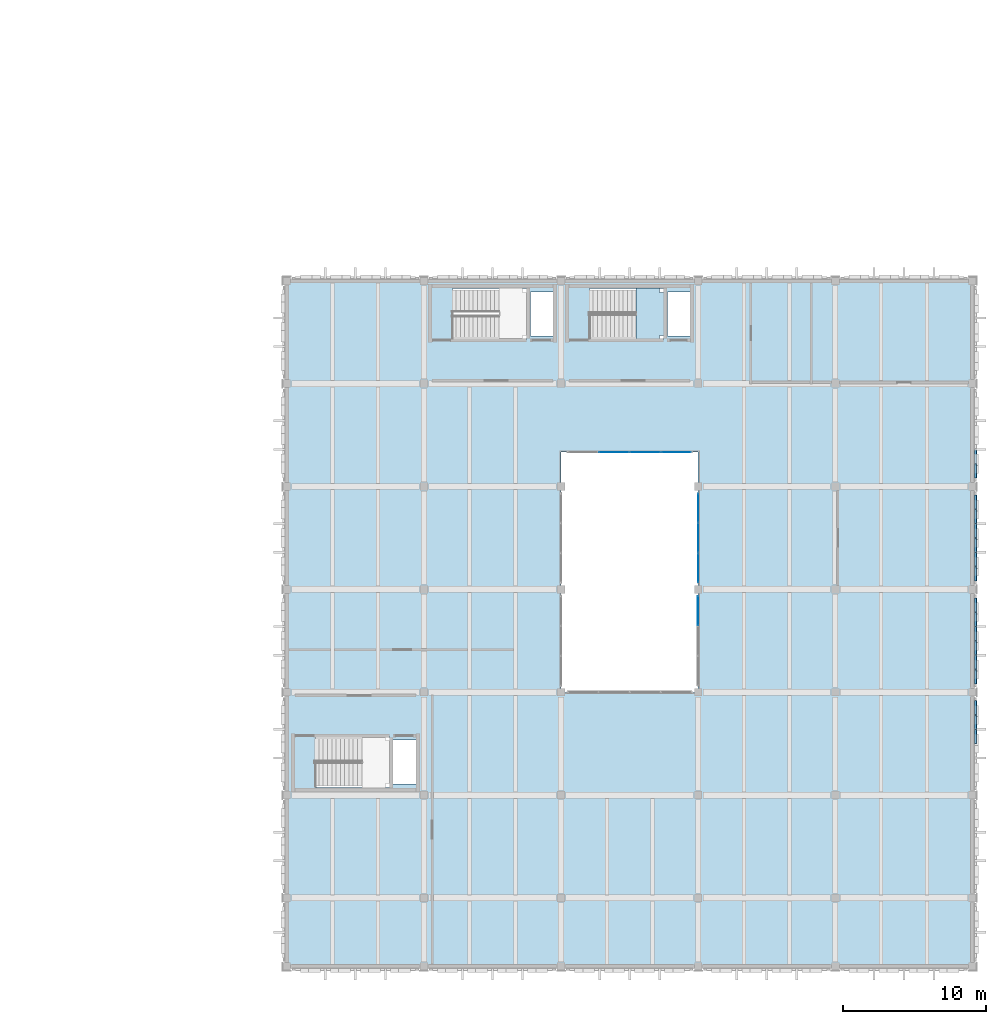
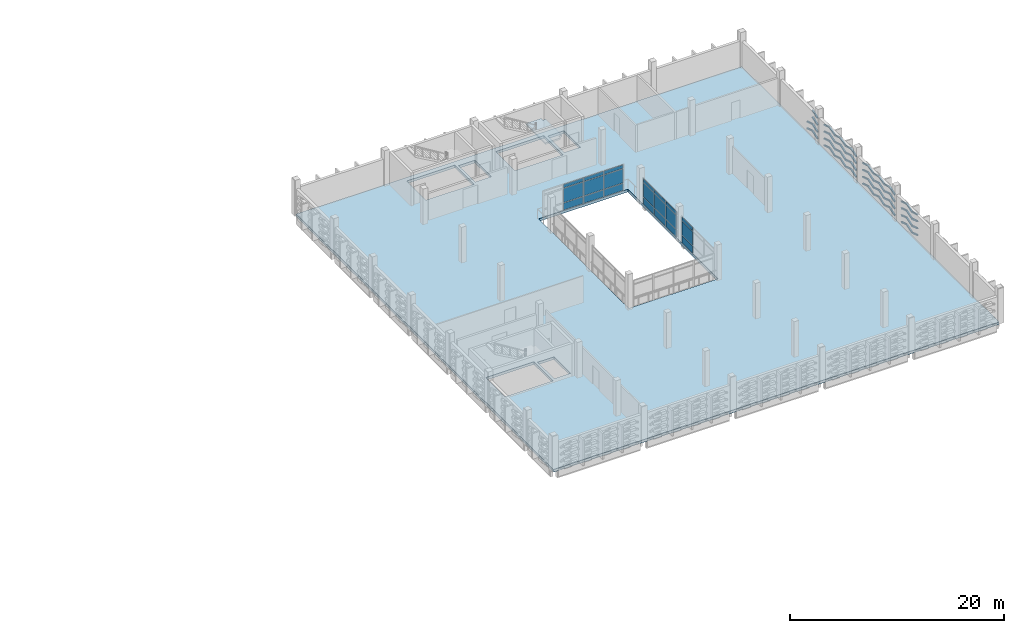
# One storey, part 46 of 72: 87 plates, 2 slabs, 4 elements without a shape of their own.
"""IFC4 building model written with IfcOpenShell, lengths in metres."""

from ifc_helpers import new_model, si_unit, direction, frame, origin, origin_2d, place, context, subcontext, project, spatial, polyline, rectangle, hollow_rectangle, outline, extrude, material, layer, layer_set, material_profile, profile_set, type_object, element, aggregate, save


model = new_model("IFC4")

# Units and contexts
model_context = context("Model", 3, precision=1e-05, world=origin(), true_north=direction((0.0, 1.0)))
body_context = subcontext(model_context, "Body", "Model", "MODEL_VIEW")
ifc_project = project(units=[si_unit("LENGTHUNIT", "METRE"), si_unit("AREAUNIT", "SQUARE_METRE"), si_unit("VOLUMEUNIT", "CUBIC_METRE"), si_unit("PLANEANGLEUNIT", "RADIAN"), si_unit("MASSUNIT", "GRAM", prefix="KILO")], contexts=[model_context])

# Site, building, storey
site_placement = place(None, origin())
site = spatial("IfcSite", under=ifc_project, at=site_placement, CompositionType="ELEMENT")
building_placement = place(site_placement, origin())
building = spatial("IfcBuilding", under=site, at=building_placement, Name="Asteropetra Specialist Clinic", CompositionType="ELEMENT")
storey_placement = place(building_placement, frame((0.0, 0.0, 12.580078125)))
storey = spatial("IfcBuildingStorey", under=building, at=storey_placement, Name="L03", CompositionType="ELEMENT", Elevation=12.580078125)

# Plates
ifc_material_1 = material(Name="Chevron emerald aluminium 6063-T6", Category="aluminium")
ifc_material_profile = material_profile(ifc_material_1, hollow_rectangle(XDim=0.159912109375, YDim=0.159912109375, WallThickness=0.008056640625, InnerFilletRadius=0.008056640625, OuterFilletRadius=0.01611328125, at=origin_2d()), Name="SHS 160x160x8.0")
ifc_profile_set = profile_set([ifc_material_profile], Name="Chevron emerald aluminium 6063-T6")
plate_type_1 = type_object("IfcPlateType", Name="CHV-RIB-160", PredefinedType="SHEET", material=ifc_profile_set)
for number, where, z_axis, x_axis, name in (
    (1, (153.819580078125, 15.60009765625, 0.36572265625), (0.0, 0.951922588053, -0.306338679169), (-1.0, 0.0, 0.0), "Chevron Facade Screen Fin CVR-3327"),
    (2, (153.819580078125, 15.60009765625, 1.1357421875), (0.0, 0.951922588053, -0.306338679169), (-1.0, 0.0, 0.0), "Chevron Facade Screen Fin CVR-3329"),
    (3, (153.819580078125, 15.60009765625, 1.935791015625), (0.0, 0.951922588053, -0.306338679169), (-1.0, 0.0, 0.0), "Chevron Facade Screen Fin CVR-3331"),
    (4, (153.819580078125, 15.60009765625, 2.7158203125), (0.0, 0.951922588053, -0.306338679169), (-1.0, 0.0, 0.0), "Chevron Facade Screen Fin CVR-3333"),
    (5, (153.819580078125, 16.62158203125, 0.0498046875), (0.0, 0.951922588053, 0.306338679169), (-1.0, 0.0, 0.0), "Chevron Facade Screen Fin CVR-3334"),
    (6, (153.819580078125, 17.603271484375, 0.36572265625), (0.0, 0.951922588053, -0.306338679169), (-1.0, 0.0, 0.0), "Chevron Facade Screen Fin CVR-3335"),
    (7, (153.819580078125, 16.62158203125, 0.81982421875), (0.0, 0.951922588053, 0.306338679169), (-1.0, 0.0, 0.0), "Chevron Facade Screen Fin CVR-3336"),
    (8, (153.819580078125, 17.603271484375, 1.1357421875), (0.0, 0.951922588053, -0.306338679169), (-1.0, 0.0, 0.0), "Chevron Facade Screen Fin CVR-3337"),
    (9, (153.819580078125, 16.62158203125, 1.619873046875), (0.0, 0.951922588053, 0.306338679169), (-1.0, 0.0, 0.0), "Chevron Facade Screen Fin CVR-3338"),
    (10, (153.819580078125, 17.603271484375, 1.935791015625), (0.0, 0.951922588053, -0.306338679169), (-1.0, 0.0, 0.0), "Chevron Facade Screen Fin CVR-3339"),
    (11, (153.819580078125, 16.62158203125, 2.39990234375), (0.0, 0.951922588053, 0.306338679169), (-1.0, 0.0, 0.0), "Chevron Facade Screen Fin CVR-3340"),
    (12, (153.819580078125, 17.603271484375, 2.7158203125), (0.0, 0.951922588053, -0.306338679169), (-1.0, 0.0, 0.0), "Chevron Facade Screen Fin CVR-3341"),
    (13, (153.819580078125, 19.81494140625, 0.0498046875), (0.0, 0.951922588053, 0.306338679169), (-1.0, 0.0, 0.0), "Chevron Facade Screen Fin CVR-3366"),
    (14, (153.819580078125, 20.796630859375, 0.36572265625), (0.0, 0.951922588053, -0.306338679169), (-1.0, 0.0, 0.0), "Chevron Facade Screen Fin CVR-3367"),
    (15, (153.819580078125, 19.81494140625, 0.81982421875), (0.0, 0.951922588053, 0.306338679169), (-1.0, 0.0, 0.0), "Chevron Facade Screen Fin CVR-3368"),
    (16, (153.819580078125, 20.796630859375, 1.1357421875), (0.0, 0.951922588053, -0.306338679169), (-1.0, 0.0, 0.0), "Chevron Facade Screen Fin CVR-3369"),
    (17, (153.819580078125, 19.81494140625, 1.619873046875), (0.0, 0.951922588053, 0.306338679169), (-1.0, 0.0, 0.0), "Chevron Facade Screen Fin CVR-3370"),
    (18, (153.819580078125, 20.796630859375, 1.935791015625), (0.0, 0.951922588053, -0.306338679169), (-1.0, 0.0, 0.0), "Chevron Facade Screen Fin CVR-3371"),
    (19, (153.819580078125, 19.81494140625, 2.39990234375), (0.0, 0.951922588053, 0.306338679169), (-1.0, 0.0, 0.0), "Chevron Facade Screen Fin CVR-3372"),
    (20, (153.819580078125, 20.796630859375, 2.7158203125), (0.0, 0.951922588053, -0.306338679169), (-1.0, 0.0, 0.0), "Chevron Facade Screen Fin CVR-3373"),
    (21, (153.819580078125, 21.818359375, 0.0498046875), (0.0, 0.951922588053, 0.306338679169), (-1.0, 0.0, 0.0), "Chevron Facade Screen Fin CVR-3374"),
    (22, (153.819580078125, 22.800048828125, 0.36572265625), (0.0, 0.951922588053, -0.306338679169), (-1.0, 0.0, 0.0), "Chevron Facade Screen Fin CVR-3375"),
    (23, (153.819580078125, 21.818359375, 0.81982421875), (0.0, 0.951922588053, 0.306338679169), (-1.0, 0.0, 0.0), "Chevron Facade Screen Fin CVR-3376"),
    (24, (153.819580078125, 22.800048828125, 1.1357421875), (0.0, 0.951922588053, -0.306338679169), (-1.0, 0.0, 0.0), "Chevron Facade Screen Fin CVR-3377"),
    (25, (153.819580078125, 21.818359375, 1.619873046875), (0.0, 0.951922588053, 0.306338679169), (-1.0, 0.0, 0.0), "Chevron Facade Screen Fin CVR-3378"),
    (26, (153.819580078125, 22.800048828125, 1.935791015625), (0.0, 0.951922588053, -0.306338679169), (-1.0, 0.0, 0.0), "Chevron Facade Screen Fin CVR-3379"),
    (27, (153.819580078125, 21.818359375, 2.39990234375), (0.0, 0.951922588053, 0.306338679169), (-1.0, 0.0, 0.0), "Chevron Facade Screen Fin CVR-3380"),
    (28, (153.819580078125, 22.800048828125, 2.7158203125), (0.0, 0.951922588053, -0.306338679169), (-1.0, 0.0, 0.0), "Chevron Facade Screen Fin CVR-3381"),
):
    element("IfcPlate", number, at=place(storey_placement, frame(where, z_axis=z_axis, x_axis=x_axis)), inside=storey, type_object=plate_type_1, Name=name, PredefinedType="SHEET", context=body_context, shape_type="SweptSolid", body=[
        extrude(hollow_rectangle(XDim=0.159912109375, YDim=0.159912109375, WallThickness=0.008056640625, InnerFilletRadius=0.008056640625, OuterFilletRadius=0.01611328125, at=origin_2d()), origin(), (0.0, 0.0, 1.0), 1.03125),
    ])
plate_1_placement = place(storey_placement, frame((153.819580078125, 23.82177734375, 0.0498046875), z_axis=(0.0, 0.951900364266, 0.306407729194), x_axis=(-1.0, 0.0, 0.0)))
element("IfcPlate", 29, at=plate_1_placement, inside=storey, type_object=plate_type_1, Name="Chevron Facade Screen Fin CVR-3382", PredefinedType="SHEET", context=body_context, shape_type="SweptSolid", body=[
    extrude(hollow_rectangle(XDim=0.159912109375, YDim=0.159912109375, WallThickness=0.008056640625, InnerFilletRadius=0.008056640625, OuterFilletRadius=0.01611328125, at=origin_2d()), origin(), (0.0, 0.0, 1.0), 1.031005859375),
])
plate_2_placement = place(storey_placement, frame((153.819580078125, 24.80322265625, 0.36572265625), z_axis=(0.0, 0.951922588053, -0.306338679169), x_axis=(-1.0, 0.0, 0.0)))
element("IfcPlate", 30, at=plate_2_placement, inside=storey, type_object=plate_type_1, Name="Chevron Facade Screen Fin CVR-3383", PredefinedType="SHEET", context=body_context, shape_type="SweptSolid", body=[
    extrude(hollow_rectangle(XDim=0.159912109375, YDim=0.159912109375, WallThickness=0.008056640625, InnerFilletRadius=0.008056640625, OuterFilletRadius=0.01611328125, at=origin_2d()), origin(), (0.0, 0.0, 1.0), 1.03125),
])
plate_3_placement = place(storey_placement, frame((153.819580078125, 23.82177734375, 0.81982421875), z_axis=(0.0, 0.951900364266, 0.306407729194), x_axis=(-1.0, 0.0, 0.0)))
element("IfcPlate", 31, at=plate_3_placement, inside=storey, type_object=plate_type_1, Name="Chevron Facade Screen Fin CVR-3384", PredefinedType="SHEET", context=body_context, shape_type="SweptSolid", body=[
    extrude(hollow_rectangle(XDim=0.159912109375, YDim=0.159912109375, WallThickness=0.008056640625, InnerFilletRadius=0.008056640625, OuterFilletRadius=0.01611328125, at=origin_2d()), origin(), (0.0, 0.0, 1.0), 1.031005859375),
])
plate_4_placement = place(storey_placement, frame((153.819580078125, 24.80322265625, 1.1357421875), z_axis=(0.0, 0.951922588053, -0.306338679169), x_axis=(-1.0, 0.0, 0.0)))
element("IfcPlate", 32, at=plate_4_placement, inside=storey, type_object=plate_type_1, Name="Chevron Facade Screen Fin CVR-3385", PredefinedType="SHEET", context=body_context, shape_type="SweptSolid", body=[
    extrude(hollow_rectangle(XDim=0.159912109375, YDim=0.159912109375, WallThickness=0.008056640625, InnerFilletRadius=0.008056640625, OuterFilletRadius=0.01611328125, at=origin_2d()), origin(), (0.0, 0.0, 1.0), 1.03125),
])
plate_5_placement = place(storey_placement, frame((153.819580078125, 23.82177734375, 1.619873046875), z_axis=(0.0, 0.951900364266, 0.306407729194), x_axis=(-1.0, 0.0, 0.0)))
element("IfcPlate", 33, at=plate_5_placement, inside=storey, type_object=plate_type_1, Name="Chevron Facade Screen Fin CVR-3386", PredefinedType="SHEET", context=body_context, shape_type="SweptSolid", body=[
    extrude(hollow_rectangle(XDim=0.159912109375, YDim=0.159912109375, WallThickness=0.008056640625, InnerFilletRadius=0.008056640625, OuterFilletRadius=0.01611328125, at=origin_2d()), origin(), (0.0, 0.0, 1.0), 1.031005859375),
])
plate_6_placement = place(storey_placement, frame((153.819580078125, 24.80322265625, 1.935791015625), z_axis=(0.0, 0.951922588053, -0.306338679169), x_axis=(-1.0, 0.0, 0.0)))
element("IfcPlate", 34, at=plate_6_placement, inside=storey, type_object=plate_type_1, Name="Chevron Facade Screen Fin CVR-3387", PredefinedType="SHEET", context=body_context, shape_type="SweptSolid", body=[
    extrude(hollow_rectangle(XDim=0.159912109375, YDim=0.159912109375, WallThickness=0.008056640625, InnerFilletRadius=0.008056640625, OuterFilletRadius=0.01611328125, at=origin_2d()), origin(), (0.0, 0.0, 1.0), 1.03125),
])
plate_7_placement = place(storey_placement, frame((153.819580078125, 23.82177734375, 2.39990234375), z_axis=(0.0, 0.951900364266, 0.306407729194), x_axis=(-1.0, 0.0, 0.0)))
element("IfcPlate", 35, at=plate_7_placement, inside=storey, type_object=plate_type_1, Name="Chevron Facade Screen Fin CVR-3388", PredefinedType="SHEET", context=body_context, shape_type="SweptSolid", body=[
    extrude(hollow_rectangle(XDim=0.159912109375, YDim=0.159912109375, WallThickness=0.008056640625, InnerFilletRadius=0.008056640625, OuterFilletRadius=0.01611328125, at=origin_2d()), origin(), (0.0, 0.0, 1.0), 1.031005859375),
])
for number, where, z_axis, x_axis, name in (
    (36, (153.819580078125, 24.80322265625, 2.7158203125), (0.0, 0.951922588053, -0.306338679169), (-1.0, 0.0, 0.0), "Chevron Facade Screen Fin CVR-3389"),
    (37, (153.819580078125, 27.014892578125, 0.0498046875), (0.0, 0.951922588053, 0.306338679169), (-1.0, 0.0, 0.0), "Chevron Facade Screen Fin CVR-3414"),
    (38, (153.819580078125, 27.99658203125, 0.36572265625), (0.0, 0.951922588053, -0.306338679169), (-1.0, 0.0, 0.0), "Chevron Facade Screen Fin CVR-3415"),
    (39, (153.819580078125, 27.014892578125, 0.81982421875), (0.0, 0.951922588053, 0.306338679169), (-1.0, 0.0, 0.0), "Chevron Facade Screen Fin CVR-3416"),
    (40, (153.819580078125, 27.99658203125, 1.1357421875), (0.0, 0.951922588053, -0.306338679169), (-1.0, 0.0, 0.0), "Chevron Facade Screen Fin CVR-3417"),
    (41, (153.819580078125, 27.014892578125, 1.619873046875), (0.0, 0.951922588053, 0.306338679169), (-1.0, 0.0, 0.0), "Chevron Facade Screen Fin CVR-3418"),
    (42, (153.819580078125, 27.99658203125, 1.935791015625), (0.0, 0.951922588053, -0.306338679169), (-1.0, 0.0, 0.0), "Chevron Facade Screen Fin CVR-3419"),
    (43, (153.819580078125, 27.014892578125, 2.39990234375), (0.0, 0.951922588053, 0.306338679169), (-1.0, 0.0, 0.0), "Chevron Facade Screen Fin CVR-3420"),
    (44, (153.819580078125, 27.99658203125, 2.7158203125), (0.0, 0.951922588053, -0.306338679169), (-1.0, 0.0, 0.0), "Chevron Facade Screen Fin CVR-3421"),
    (45, (153.819580078125, 29.018310546875, 0.0498046875), (0.0, 0.951922588053, 0.306338679169), (-1.0, 0.0, 0.0), "Chevron Facade Screen Fin CVR-3422"),
    (46, (153.819580078125, 30.0, 0.36572265625), (0.0, 0.951922588053, -0.306338679169), (-1.0, 0.0, 0.0), "Chevron Facade Screen Fin CVR-3423"),
    (47, (153.819580078125, 29.018310546875, 0.81982421875), (0.0, 0.951922588053, 0.306338679169), (-1.0, 0.0, 0.0), "Chevron Facade Screen Fin CVR-3424"),
    (48, (153.819580078125, 30.0, 1.1357421875), (0.0, 0.951922588053, -0.306338679169), (-1.0, 0.0, 0.0), "Chevron Facade Screen Fin CVR-3425"),
    (49, (153.819580078125, 29.018310546875, 1.619873046875), (0.0, 0.951922588053, 0.306338679169), (-1.0, 0.0, 0.0), "Chevron Facade Screen Fin CVR-3426"),
    (50, (153.819580078125, 30.0, 1.935791015625), (0.0, 0.951922588053, -0.306338679169), (-1.0, 0.0, 0.0), "Chevron Facade Screen Fin CVR-3427"),
    (51, (153.819580078125, 29.018310546875, 2.39990234375), (0.0, 0.951922588053, 0.306338679169), (-1.0, 0.0, 0.0), "Chevron Facade Screen Fin CVR-3428"),
    (52, (153.819580078125, 30.0, 2.7158203125), (0.0, 0.951922588053, -0.306338679169), (-1.0, 0.0, 0.0), "Chevron Facade Screen Fin CVR-3429"),
    (53, (153.819580078125, 31.021728515625, 0.0498046875), (0.0, 0.951922588053, 0.306338679169), (-1.0, 0.0, 0.0), "Chevron Facade Screen Fin CVR-3430"),
    (54, (153.819580078125, 32.00341796875, 0.36572265625), (0.0, 0.951922588053, -0.306338679169), (-1.0, 0.0, 0.0), "Chevron Facade Screen Fin CVR-3431"),
    (55, (153.819580078125, 31.021728515625, 0.81982421875), (0.0, 0.951922588053, 0.306338679169), (-1.0, 0.0, 0.0), "Chevron Facade Screen Fin CVR-3432"),
    (56, (153.819580078125, 32.00341796875, 1.1357421875), (0.0, 0.951922588053, -0.306338679169), (-1.0, 0.0, 0.0), "Chevron Facade Screen Fin CVR-3433"),
    (57, (153.819580078125, 31.021728515625, 1.619873046875), (0.0, 0.951922588053, 0.306338679169), (-1.0, 0.0, 0.0), "Chevron Facade Screen Fin CVR-3434"),
    (58, (153.819580078125, 32.00341796875, 1.935791015625), (0.0, 0.951922588053, -0.306338679169), (-1.0, 0.0, 0.0), "Chevron Facade Screen Fin CVR-3435"),
    (59, (153.819580078125, 31.021728515625, 2.39990234375), (0.0, 0.951922588053, 0.306338679169), (-1.0, 0.0, 0.0), "Chevron Facade Screen Fin CVR-3436"),
    (60, (153.819580078125, 32.00341796875, 2.7158203125), (0.0, 0.951922588053, -0.306338679169), (-1.0, 0.0, 0.0), "Chevron Facade Screen Fin CVR-3437"),
    (61, (153.819580078125, 34.215087890625, 0.0498046875), (0.0, 0.951922588053, 0.306338679169), (-1.0, 0.0, 0.0), "Chevron Facade Screen Fin CVR-3462"),
):
    element("IfcPlate", number, at=place(storey_placement, frame(where, z_axis=z_axis, x_axis=x_axis)), inside=storey, type_object=plate_type_1, Name=name, PredefinedType="SHEET", context=body_context, shape_type="SweptSolid", body=[
        extrude(hollow_rectangle(XDim=0.159912109375, YDim=0.159912109375, WallThickness=0.008056640625, InnerFilletRadius=0.008056640625, OuterFilletRadius=0.01611328125, at=origin_2d()), origin(), (0.0, 0.0, 1.0), 1.03125),
    ])
plate_8_placement = place(storey_placement, frame((153.819580078125, 35.19677734375, 0.36572265625), z_axis=(0.0, 0.951900364266, -0.306407729194), x_axis=(-1.0, 0.0, 0.0)))
element("IfcPlate", 62, at=plate_8_placement, inside=storey, type_object=plate_type_1, Name="Chevron Facade Screen Fin CVR-3463", PredefinedType="SHEET", context=body_context, shape_type="SweptSolid", body=[
    extrude(hollow_rectangle(XDim=0.159912109375, YDim=0.159912109375, WallThickness=0.008056640625, InnerFilletRadius=0.008056640625, OuterFilletRadius=0.01611328125, at=origin_2d()), origin(), (0.0, 0.0, 1.0), 1.031005859375),
])
plate_9_placement = place(storey_placement, frame((153.819580078125, 34.215087890625, 0.81982421875), z_axis=(0.0, 0.951922588053, 0.306338679169), x_axis=(-1.0, 0.0, 0.0)))
element("IfcPlate", 63, at=plate_9_placement, inside=storey, type_object=plate_type_1, Name="Chevron Facade Screen Fin CVR-3464", PredefinedType="SHEET", context=body_context, shape_type="SweptSolid", body=[
    extrude(hollow_rectangle(XDim=0.159912109375, YDim=0.159912109375, WallThickness=0.008056640625, InnerFilletRadius=0.008056640625, OuterFilletRadius=0.01611328125, at=origin_2d()), origin(), (0.0, 0.0, 1.0), 1.03125),
])
plate_10_placement = place(storey_placement, frame((153.819580078125, 35.19677734375, 1.1357421875), z_axis=(0.0, 0.951900364266, -0.306407729194), x_axis=(-1.0, 0.0, 0.0)))
element("IfcPlate", 64, at=plate_10_placement, inside=storey, type_object=plate_type_1, Name="Chevron Facade Screen Fin CVR-3465", PredefinedType="SHEET", context=body_context, shape_type="SweptSolid", body=[
    extrude(hollow_rectangle(XDim=0.159912109375, YDim=0.159912109375, WallThickness=0.008056640625, InnerFilletRadius=0.008056640625, OuterFilletRadius=0.01611328125, at=origin_2d()), origin(), (0.0, 0.0, 1.0), 1.031005859375),
])
for number, where, z_axis, x_axis, name in (
    (65, (153.819580078125, 34.215087890625, 1.619873046875), (0.0, 0.951922588053, 0.306338679169), (-1.0, 0.0, 0.0), "Chevron Facade Screen Fin CVR-3466"),
    (66, (153.819580078125, 34.215087890625, 2.39990234375), (0.0, 0.951922588053, 0.306338679169), (-1.0, 0.0, 0.0), "Chevron Facade Screen Fin CVR-3468"),
):
    element("IfcPlate", number, at=place(storey_placement, frame(where, z_axis=z_axis, x_axis=x_axis)), inside=storey, type_object=plate_type_1, Name=name, PredefinedType="SHEET", context=body_context, shape_type="SweptSolid", body=[
        extrude(hollow_rectangle(XDim=0.159912109375, YDim=0.159912109375, WallThickness=0.008056640625, InnerFilletRadius=0.008056640625, OuterFilletRadius=0.01611328125, at=origin_2d()), origin(), (0.0, 0.0, 1.0), 1.03125),
    ])

# Curtain wall, plates
ifc_material_2 = material(Name="Aluminium and low-E glass", Category="aluminium")
ifc_layer_1 = layer(ifc_material_2, 0.135009765625)
ifc_layer_set_1 = layer_set([ifc_layer_1], Name="Aluminium and low-E glass")
curtain_wall_type_1 = type_object("IfcCurtainWallType", Name="CW-SYS-09", PredefinedType="USERDEFINED", material=ifc_layer_set_1)
curtain_wall_1_placement = place(storey_placement, origin())
curtain_wall_1 = element("IfcCurtainWall", 67, at=curtain_wall_1_placement, inside=storey, type_object=curtain_wall_type_1, Name="Curtain Wall CW-084", ObjectType="STICK GLAZED COLONNADE", PredefinedType="USERDEFINED")
ifc_material_3 = material(Name="Low-E double glazing", Category="glass")
ifc_layer_2 = layer(ifc_material_3, 0.028076171875)
ifc_layer_set_2 = layer_set([ifc_layer_2], Name="Low-E double glazing")
plate_type_2 = type_object("IfcPlateType", Name="CWP-GLZ-28", PredefinedType="CURTAIN_PANEL", material=ifc_layer_set_2)
plate_11_placement = place(storey_placement, frame((132.851318359375, 36.0, 0.074951171875), z_axis=(0.0, 0.0, 1.0), x_axis=(-1.0, 0.0, 0.0)))
plate_11 = element("IfcPlate", 68, at=plate_11_placement, type_object=plate_type_2, Name="CW-084 panel 1.1", PredefinedType="CURTAIN_PANEL", context=body_context, shape_type="SweptSolid", body=[
    extrude(rectangle(XDim=2.0673828125, YDim=0.028076171875, at=origin_2d()), origin(), (0.0, 0.0, 1.0), 0.78759765625),
])
plate_12_placement = place(storey_placement, frame((132.851318359375, 36.0, 0.9375), z_axis=(0.0, 0.0, 1.0), x_axis=(-1.0, 0.0, 0.0)))
plate_12 = element("IfcPlate", 69, at=plate_12_placement, type_object=plate_type_2, Name="CW-084 panel 1.2", PredefinedType="CURTAIN_PANEL", context=body_context, shape_type="SweptSolid", body=[
    extrude(rectangle(XDim=2.0673828125, YDim=0.028076171875, at=origin_2d()), origin(), (0.0, 0.0, 1.0), 1.5849609375),
])
plate_13_placement = place(storey_placement, frame((132.851318359375, 36.0, 2.59765625), z_axis=(0.0, 0.0, 1.0), x_axis=(-1.0, 0.0, 0.0)))
plate_13 = element("IfcPlate", 70, at=plate_13_placement, type_object=plate_type_2, Name="CW-084 panel 1.3", PredefinedType="CURTAIN_PANEL", context=body_context, shape_type="SweptSolid", body=[
    extrude(rectangle(XDim=2.0673828125, YDim=0.028076171875, at=origin_2d()), origin(), (0.0, 0.0, 1.0), 0.387451171875),
])
plate_14_placement = place(storey_placement, frame((130.68994140625, 36.0, 0.074951171875), z_axis=(0.0, 0.0, 1.0), x_axis=(-1.0, 0.0, 0.0)))
plate_14 = element("IfcPlate", 71, at=plate_14_placement, type_object=plate_type_2, Name="CW-084 panel 2.1", PredefinedType="CURTAIN_PANEL", context=body_context, shape_type="SweptSolid", body=[
    extrude(rectangle(XDim=2.10498046875, YDim=0.028076171875, at=origin_2d()), origin(), (0.0, 0.0, 1.0), 0.78759765625),
])
plate_15_placement = place(storey_placement, frame((130.68994140625, 36.0, 0.9375), z_axis=(0.0, 0.0, 1.0), x_axis=(-1.0, 0.0, 0.0)))
plate_15 = element("IfcPlate", 72, at=plate_15_placement, type_object=plate_type_2, Name="CW-084 panel 2.2", PredefinedType="CURTAIN_PANEL", context=body_context, shape_type="SweptSolid", body=[
    extrude(rectangle(XDim=2.10498046875, YDim=0.028076171875, at=origin_2d()), origin(), (0.0, 0.0, 1.0), 1.5849609375),
])
plate_16_placement = place(storey_placement, frame((130.68994140625, 36.0, 2.59765625), z_axis=(0.0, 0.0, 1.0), x_axis=(-1.0, 0.0, 0.0)))
plate_16 = element("IfcPlate", 73, at=plate_16_placement, type_object=plate_type_2, Name="CW-084 panel 2.3", PredefinedType="CURTAIN_PANEL", context=body_context, shape_type="SweptSolid", body=[
    extrude(rectangle(XDim=2.10498046875, YDim=0.028076171875, at=origin_2d()), origin(), (0.0, 0.0, 1.0), 0.387451171875),
])
plate_17_placement = place(storey_placement, frame((128.510009765625, 36.0, 0.074951171875), z_axis=(0.0, 0.0, 1.0), x_axis=(-1.0, 0.0, 0.0)))
plate_17 = element("IfcPlate", 74, at=plate_17_placement, type_object=plate_type_2, Name="CW-084 panel 3.1", PredefinedType="CURTAIN_PANEL", context=body_context, shape_type="SweptSolid", body=[
    extrude(rectangle(XDim=2.10498046875, YDim=0.028076171875, at=origin_2d()), origin(), (0.0, 0.0, 1.0), 0.78759765625),
])
plate_18_placement = place(storey_placement, frame((128.510009765625, 36.0, 0.9375), z_axis=(0.0, 0.0, 1.0), x_axis=(-1.0, 0.0, 0.0)))
plate_18 = element("IfcPlate", 75, at=plate_18_placement, type_object=plate_type_2, Name="CW-084 panel 3.2", PredefinedType="CURTAIN_PANEL", context=body_context, shape_type="SweptSolid", body=[
    extrude(rectangle(XDim=2.10498046875, YDim=0.028076171875, at=origin_2d()), origin(), (0.0, 0.0, 1.0), 1.5849609375),
])
plate_19_placement = place(storey_placement, frame((128.510009765625, 36.0, 2.59765625), z_axis=(0.0, 0.0, 1.0), x_axis=(-1.0, 0.0, 0.0)))
plate_19 = element("IfcPlate", 76, at=plate_19_placement, type_object=plate_type_2, Name="CW-084 panel 3.3", PredefinedType="CURTAIN_PANEL", context=body_context, shape_type="SweptSolid", body=[
    extrude(rectangle(XDim=2.10498046875, YDim=0.028076171875, at=origin_2d()), origin(), (0.0, 0.0, 1.0), 0.387451171875),
])
aggregate(curtain_wall_1, [plate_11, plate_12, plate_13, plate_14, plate_15, plate_16, plate_17, plate_18, plate_19])

ifc_material_4 = material(Name="Aluminium and low-E glass", Category="aluminium")
ifc_layer_3 = layer(ifc_material_4, 0.135009765625)
ifc_layer_set_3 = layer_set([ifc_layer_3], Name="Aluminium and low-E glass")
curtain_wall_type_2 = type_object("IfcCurtainWallType", Name="CW-SYS-12", PredefinedType="USERDEFINED", material=ifc_layer_set_3)
curtain_wall_2_placement = place(storey_placement, origin())
curtain_wall_2 = element("IfcCurtainWall", 77, at=curtain_wall_2_placement, inside=storey, type_object=curtain_wall_type_2, Name="Curtain Wall CW-088", ObjectType="STICK GLAZED COLONNADE", PredefinedType="USERDEFINED")
plate_20_placement = place(storey_placement, frame((134.39990234375, 27.90625, 0.06494140625), z_axis=(0.0, 0.0, 1.0), x_axis=(0.0, 1.0, 0.0)))
plate_20 = element("IfcPlate", 78, at=plate_20_placement, type_object=plate_type_2, Name="CW-088 panel 1.1", PredefinedType="CURTAIN_PANEL", context=body_context, shape_type="SweptSolid", body=[
    extrude(rectangle(XDim=2.012451171875, YDim=0.028076171875, at=origin_2d()), origin(), (0.0, 0.0, 1.0), 0.802490234375),
])
plate_21_placement = place(storey_placement, frame((134.39990234375, 27.90625, 0.9326171875), z_axis=(0.0, 0.0, 1.0), x_axis=(0.0, 1.0, 0.0)))
plate_21 = element("IfcPlate", 79, at=plate_21_placement, type_object=plate_type_2, Name="CW-088 panel 1.2", PredefinedType="CURTAIN_PANEL", context=body_context, shape_type="SweptSolid", body=[
    extrude(rectangle(XDim=2.012451171875, YDim=0.028076171875, at=origin_2d()), origin(), (0.0, 0.0, 1.0), 1.594970703125),
])
plate_22_placement = place(storey_placement, frame((134.39990234375, 27.90625, 2.59228515625), z_axis=(0.0, 0.0, 1.0), x_axis=(0.0, 1.0, 0.0)))
plate_22 = element("IfcPlate", 80, at=plate_22_placement, type_object=plate_type_2, Name="CW-088 panel 1.3", PredefinedType="CURTAIN_PANEL", context=body_context, shape_type="SweptSolid", body=[
    extrude(rectangle(XDim=2.012451171875, YDim=0.028076171875, at=origin_2d()), origin(), (0.0, 0.0, 1.0), 0.402587890625),
])
plate_23_placement = place(storey_placement, frame((134.39990234375, 30.0, 0.06494140625), z_axis=(0.0, 0.0, 1.0), x_axis=(0.0, 1.0, 0.0)))
plate_23 = element("IfcPlate", 81, at=plate_23_placement, type_object=plate_type_2, Name="CW-088 panel 2.1", PredefinedType="CURTAIN_PANEL", context=body_context, shape_type="SweptSolid", body=[
    extrude(rectangle(XDim=2.044921875, YDim=0.028076171875, at=origin_2d()), origin(), (0.0, 0.0, 1.0), 0.802490234375),
])
plate_24_placement = place(storey_placement, frame((134.39990234375, 30.0, 0.9326171875), z_axis=(0.0, 0.0, 1.0), x_axis=(0.0, 1.0, 0.0)))
plate_24 = element("IfcPlate", 82, at=plate_24_placement, type_object=plate_type_2, Name="CW-088 panel 2.2", PredefinedType="CURTAIN_PANEL", context=body_context, shape_type="SweptSolid", body=[
    extrude(rectangle(XDim=2.044921875, YDim=0.028076171875, at=origin_2d()), origin(), (0.0, 0.0, 1.0), 1.594970703125),
])
plate_25_placement = place(storey_placement, frame((134.39990234375, 30.0, 2.59228515625), z_axis=(0.0, 0.0, 1.0), x_axis=(0.0, 1.0, 0.0)))
plate_25 = element("IfcPlate", 83, at=plate_25_placement, type_object=plate_type_2, Name="CW-088 panel 2.3", PredefinedType="CURTAIN_PANEL", context=body_context, shape_type="SweptSolid", body=[
    extrude(rectangle(XDim=2.044921875, YDim=0.028076171875, at=origin_2d()), origin(), (0.0, 0.0, 1.0), 0.402587890625),
])
plate_26_placement = place(storey_placement, frame((134.39990234375, 32.09375, 0.06494140625), z_axis=(0.0, 0.0, 1.0), x_axis=(0.0, 1.0, 0.0)))
plate_26 = element("IfcPlate", 84, at=plate_26_placement, type_object=plate_type_2, Name="CW-088 panel 3.1", PredefinedType="CURTAIN_PANEL", context=body_context, shape_type="SweptSolid", body=[
    extrude(rectangle(XDim=2.012451171875, YDim=0.028076171875, at=origin_2d()), origin(), (0.0, 0.0, 1.0), 0.802490234375),
])
plate_27_placement = place(storey_placement, frame((134.39990234375, 32.09375, 0.9326171875), z_axis=(0.0, 0.0, 1.0), x_axis=(0.0, 1.0, 0.0)))
plate_27 = element("IfcPlate", 85, at=plate_27_placement, type_object=plate_type_2, Name="CW-088 panel 3.2", PredefinedType="CURTAIN_PANEL", context=body_context, shape_type="SweptSolid", body=[
    extrude(rectangle(XDim=2.012451171875, YDim=0.028076171875, at=origin_2d()), origin(), (0.0, 0.0, 1.0), 1.594970703125),
])
plate_28_placement = place(storey_placement, frame((134.39990234375, 32.09375, 2.59228515625), z_axis=(0.0, 0.0, 1.0), x_axis=(0.0, 1.0, 0.0)))
plate_28 = element("IfcPlate", 86, at=plate_28_placement, type_object=plate_type_2, Name="CW-088 panel 3.3", PredefinedType="CURTAIN_PANEL", context=body_context, shape_type="SweptSolid", body=[
    extrude(rectangle(XDim=2.012451171875, YDim=0.028076171875, at=origin_2d()), origin(), (0.0, 0.0, 1.0), 0.402587890625),
])
aggregate(curtain_wall_2, [plate_20, plate_21, plate_22, plate_23, plate_24, plate_25, plate_26, plate_27, plate_28])

ifc_material_5 = material(Name="Aluminium and low-E glass", Category="aluminium")
ifc_layer_4 = layer(ifc_material_5, 0.14990234375)
ifc_layer_set_4 = layer_set([ifc_layer_4], Name="Aluminium and low-E glass")
curtain_wall_type_3 = type_object("IfcCurtainWallType", Name="CW-SYS-11", PredefinedType="USERDEFINED", material=ifc_layer_set_4)
curtain_wall_3_placement = place(storey_placement, origin())
curtain_wall_3 = element("IfcCurtainWall", 87, at=curtain_wall_3_placement, inside=storey, type_object=curtain_wall_type_3, Name="Curtain Wall CW-086", ObjectType="STICK GLAZED COLONNADE", PredefinedType="USERDEFINED")
ifc_material_6 = material(Name="Solar-control triple glazing", Category="glass")
ifc_layer_5 = layer(ifc_material_6, 0.035888671875)
ifc_layer_set_5 = layer_set([ifc_layer_5], Name="Solar-control triple glazing")
plate_type_3 = type_object("IfcPlateType", Name="CWP-GLZ-36", PredefinedType="CURTAIN_PANEL", material=ifc_layer_set_5)
plate_29_placement = place(storey_placement, frame((134.39990234375, 24.89501953125, 0.059814453125), z_axis=(0.0, 0.0, 1.0), x_axis=(0.0, 1.0, 0.0)))
plate_29 = element("IfcPlate", 88, at=plate_29_placement, type_object=plate_type_3, Name="CW-086 panel 3.1", PredefinedType="CURTAIN_PANEL", context=body_context, shape_type="SweptSolid", body=[
    extrude(rectangle(XDim=2.02001953125, YDim=0.035888671875, at=origin_2d()), origin(), (0.0, 0.0, 1.0), 0.81005859375),
])
plate_30_placement = place(storey_placement, frame((134.39990234375, 24.89501953125, 0.929931640625), z_axis=(0.0, 0.0, 1.0), x_axis=(0.0, 1.0, 0.0)))
plate_30 = element("IfcPlate", 89, at=plate_30_placement, type_object=plate_type_3, Name="CW-086 panel 3.2", PredefinedType="CURTAIN_PANEL", context=body_context, shape_type="SweptSolid", body=[
    extrude(rectangle(XDim=2.02001953125, YDim=0.035888671875, at=origin_2d()), origin(), (0.0, 0.0, 1.0), 1.60009765625),
])
plate_31_placement = place(storey_placement, frame((134.39990234375, 24.89501953125, 2.58984375), z_axis=(0.0, 0.0, 1.0), x_axis=(0.0, 1.0, 0.0)))
plate_31 = element("IfcPlate", 90, at=plate_31_placement, type_object=plate_type_3, Name="CW-086 panel 3.3", PredefinedType="CURTAIN_PANEL", context=body_context, shape_type="SweptSolid", body=[
    extrude(rectangle(XDim=2.02001953125, YDim=0.035888671875, at=origin_2d()), origin(), (0.0, 0.0, 1.0), 0.409912109375),
])
aggregate(curtain_wall_3, [plate_29, plate_30, plate_31])

# Slab
ifc_material_7 = material(Name="Concrete C35/45", Category="concrete")
ifc_layer_6 = layer(ifc_material_7, 0.300048828125)
ifc_layer_set_6 = layer_set([ifc_layer_6], Name="Concrete C35/45")
slab_type_1 = type_object("IfcSlabType", Name="SLB-FLR-300", PredefinedType="FLOOR", material=ifc_layer_set_6)
slab_1_placement = place(storey_placement, frame((0.0, 0.0, -0.300048828125)))
element("IfcSlab", 91, at=slab_1_placement, inside=storey, type_object=slab_type_1, Name="Slab V6 L03", PredefinedType="FLOOR", context=body_context, shape_type="SweptSolid", body=[
    extrude(outline(polyline([(105.60009765625, 0.0), (153.60009765625, 0.0), (153.60009765625, 48.0), (105.60009765625, 48.0), (105.60009765625, 0.0)]), holes=[polyline([(124.800048828125, 19.199951171875), (134.39990234375, 19.199951171875), (134.39990234375, 36.0), (124.800048828125, 36.0), (124.800048828125, 19.199951171875)]), polyline([(107.60009765625, 12.52001953125), (112.780029296875, 12.52001953125), (112.780029296875, 16.10009765625), (107.60009765625, 16.10009765625), (107.60009765625, 12.52001953125)]), polyline([(113.050048828125, 12.77001953125), (114.800048828125, 12.77001953125), (114.800048828125, 15.85009765625), (113.050048828125, 15.85009765625), (113.050048828125, 12.77001953125)]), polyline([(126.800048828125, 43.89990234375), (131.97998046875, 43.89990234375), (131.97998046875, 47.47998046875), (126.800048828125, 47.47998046875), (126.800048828125, 43.89990234375)]), polyline([(132.25, 44.14990234375), (134.0, 44.14990234375), (134.0, 47.22998046875), (132.25, 47.22998046875), (132.25, 44.14990234375)]), polyline([(117.199951171875, 43.89990234375), (122.3798828125, 43.89990234375), (122.3798828125, 47.47998046875), (117.199951171875, 47.47998046875), (117.199951171875, 43.89990234375)]), polyline([(122.64990234375, 44.14990234375), (124.39990234375, 44.14990234375), (124.39990234375, 47.22998046875), (122.64990234375, 47.22998046875), (122.64990234375, 44.14990234375)])]), origin(), (0.0, 0.0, 1.0), 0.300048828125),
])

# Stair, slab
ifc_material_8 = material(Name="Concrete C35/45", Category="concrete")
stair_type = type_object("IfcStairType", Name="STR-DOG-165", PredefinedType="TWO_STRAIGHT_RUN_STAIR", material=ifc_material_8)
stair_placement = place(storey_placement, origin())
stair = element("IfcStair", 92, at=stair_placement, inside=storey, type_object=stair_type, Name="Type I Stair ST09-L03", PredefinedType="TWO_STRAIGHT_RUN_STAIR")
ifc_material_9 = material(Name="Concrete C35/45", Category="concrete")
ifc_layer_7 = layer(ifc_material_9, 0.199951171875)
ifc_layer_set_7 = layer_set([ifc_layer_7], Name="Concrete C35/45")
slab_type_2 = type_object("IfcSlabType", Name="SLB-LND-200", PredefinedType="LANDING", material=ifc_layer_set_7)
slab_2_placement = place(storey_placement, frame((0.0, 0.0, 1.83984375)))
slab_2 = element("IfcSlab", 93, at=slab_2_placement, type_object=slab_type_2, Name="ST09-L03 landing 1", PredefinedType="LANDING", context=body_context, shape_type="SweptSolid", body=[
    extrude(outline(polyline([(130.050048828125, 43.8701171875), (131.699951171875, 43.8701171875), (131.699951171875, 44.18994140625), (132.02001953125, 44.18994140625), (132.02001953125, 47.18994140625), (131.699951171875, 47.18994140625), (131.699951171875, 47.510009765625), (130.050048828125, 47.510009765625), (130.050048828125, 43.8701171875)])), origin(), (0.0, 0.0, 1.0), 0.2001953125),
])
aggregate(stair, [slab_2])

save(model, "model.ifc")
